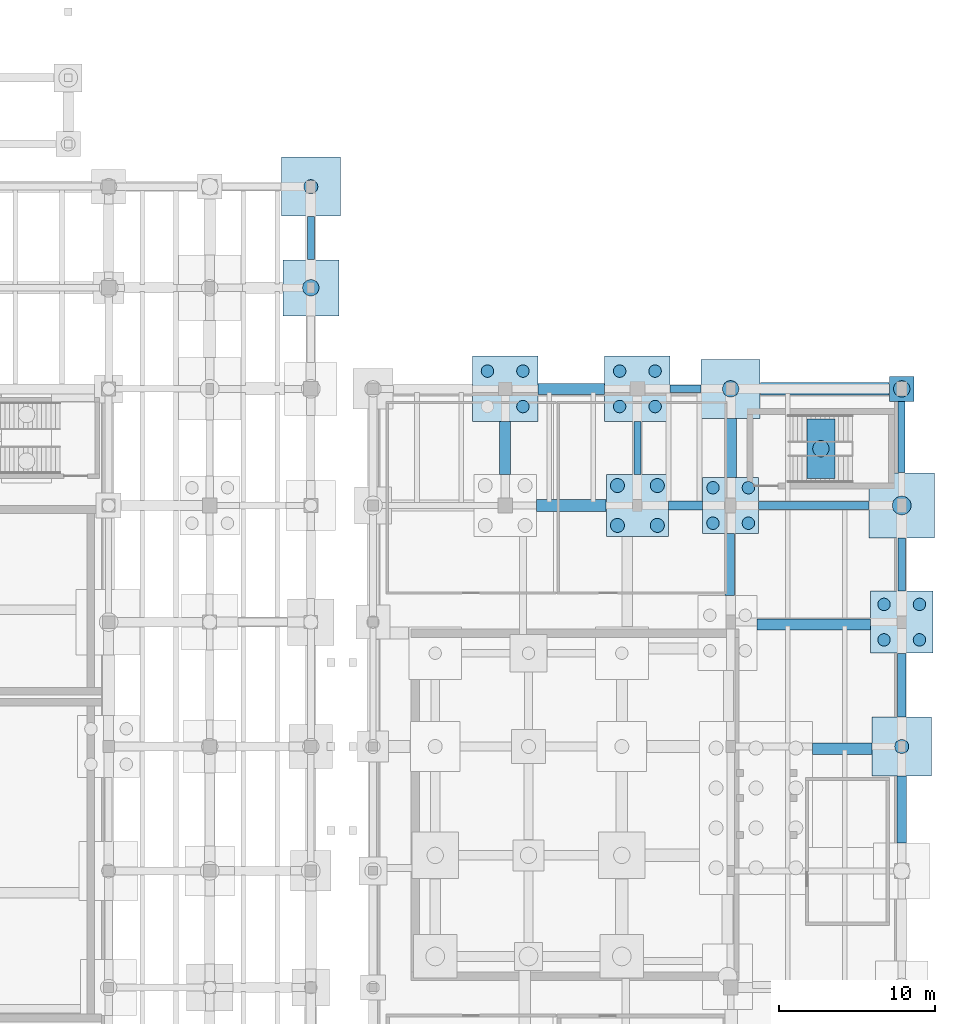
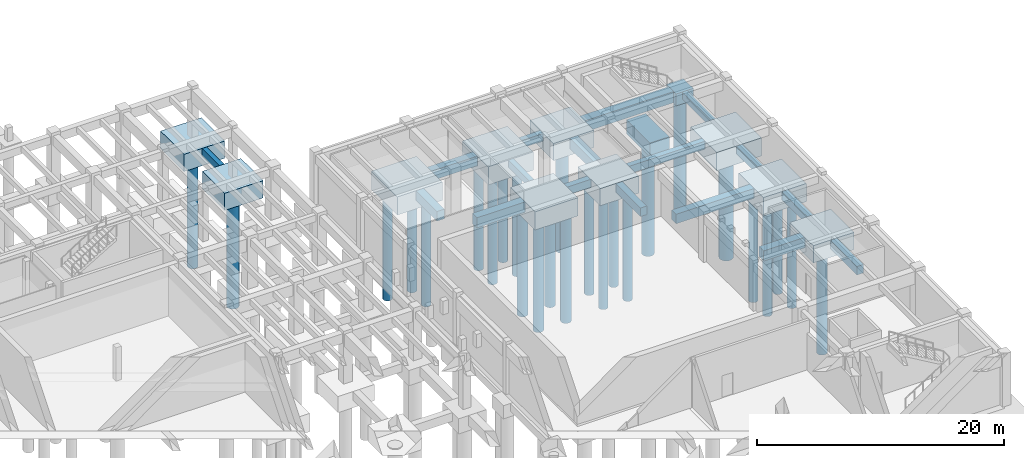
# One storey, part 15 of 36: 29 footings, 26 piles.
"""IFC4 building model written with IfcOpenShell, lengths in metres."""

from ifc_helpers import new_model, si_unit, direction, frame, origin, origin_2d, place, context, subcontext, project, spatial, polyline, circle, outline, extrude, material, material_profile, profile_set, type_object, element, save


model = new_model("IFC4")

# Units and contexts
model_context = context("Model", 3, precision=1e-05, world=origin(), true_north=direction((0.0, 1.0)))
body_context = subcontext(model_context, "Body", "Model", "MODEL_VIEW")
ifc_project = project(units=[si_unit("LENGTHUNIT", "METRE"), si_unit("AREAUNIT", "SQUARE_METRE"), si_unit("VOLUMEUNIT", "CUBIC_METRE"), si_unit("PLANEANGLEUNIT", "RADIAN"), si_unit("MASSUNIT", "GRAM", prefix="KILO"), si_unit("THERMODYNAMICTEMPERATUREUNIT", "KELVIN"), si_unit("POWERUNIT", "WATT")], contexts=[model_context])

# Site, building, storey
site_placement = place(None, origin())
site = spatial("IfcSite", under=ifc_project, at=site_placement, CompositionType="ELEMENT")
building_placement = place(site_placement, origin())
building = spatial("IfcBuilding", under=site, at=building_placement, Name="Tepalcoro Natatorium and Aquatics Centre", CompositionType="ELEMENT")
storey_placement = place(building_placement, frame((0.0, 0.0, -5.199951171875)))
storey = spatial("IfcBuildingStorey", under=building, at=storey_placement, Name="B1", CompositionType="ELEMENT", Elevation=-5.199951171875)

# Footings
ifc_material = material(Name="Concrete C40/50 (fc 40 MPa)", Category="concrete")
footing_type_1 = type_object("IfcFootingType", Name="FB_450x700", PredefinedType="FOOTING_BEAM", material=ifc_material)
footing_1_placement = place(storey_placement, frame((0.0, 0.0, -0.699951171875)))
element("IfcFooting", 1, at=footing_1_placement, inside=storey, type_object=footing_type_1, Name="V1 B1 Foundation Tie Beam Y", PredefinedType="FOOTING_BEAM", context=body_context, shape_type="SweptSolid", body=[
    extrude(outline(polyline([(138.22509765625, 67.304931640625), (138.22509765625, 70.094970703125), (137.77490234375, 70.094970703125), (137.77490234375, 67.304931640625), (138.22509765625, 67.304931640625)])), origin(), (0.0, 0.0, 1.0), 0.699951171875),
])
footing_2_placement = place(storey_placement, frame((0.0, 0.0, -1.199951171875)))
element("IfcFooting", 2, at=footing_2_placement, inside=storey, type_object=footing_type_1, Name="V2 B1 Foundation Tie Beam Y", PredefinedType="FOOTING_BEAM", context=body_context, shape_type="SweptSolid", body=[
    extrude(outline(polyline([(159.22509765625, 53.5048828125), (159.22509765625, 56.89501953125), (158.77490234375, 56.89501953125), (158.77490234375, 53.5048828125), (159.22509765625, 53.5048828125)])), origin(), (0.0, 0.0, 1.0), 0.699951171875),
])
footing_3_placement = place(storey_placement, frame((0.0, 0.0, -1.199951171875)))
element("IfcFooting", 3, at=footing_3_placement, inside=storey, type_object=footing_type_1, Name="V2 B1 Foundation Tie Beam Y", PredefinedType="FOOTING_BEAM", context=body_context, shape_type="SweptSolid", body=[
    extrude(outline(polyline([(176.22509765625, 53.60498046875), (176.22509765625, 58.195068359375), (175.77490234375, 58.195068359375), (175.77490234375, 53.60498046875), (176.22509765625, 53.60498046875)])), origin(), (0.0, 0.0, 1.0), 0.699951171875),
])
footing_type_2 = type_object("IfcFootingType", Name="FB_500x750", PredefinedType="FOOTING_BEAM", material=ifc_material)
footing_4_placement = place(storey_placement, frame((0.0, 0.0, -1.25)))
element("IfcFooting", 4, at=footing_4_placement, inside=storey, type_object=footing_type_2, Name="V2 B1 Foundation Tie Beam X", PredefinedType="FOOTING_BEAM", context=body_context, shape_type="SweptSolid", body=[
    extrude(outline(polyline([(161.10498046875, 58.75), (163.094970703125, 58.75), (163.094970703125, 59.25), (161.10498046875, 59.25), (161.10498046875, 58.75)])), origin(), (0.0, 0.0, 1.0), 0.75),
])
footing_5_placement = place(storey_placement, frame((0.0, 0.0, -1.25)))
element("IfcFooting", 5, at=footing_5_placement, inside=storey, type_object=footing_type_2, Name="V2 B1 Foundation Tie Beam X", PredefinedType="FOOTING_BEAM", context=body_context, shape_type="SweptSolid", body=[
    extrude(outline(polyline([(166.804931640625, 51.25), (173.89501953125, 51.25), (173.89501953125, 51.75), (166.804931640625, 51.75), (166.804931640625, 51.25)])), origin(), (0.0, 0.0, 1.0), 0.75),
])
footing_6_placement = place(storey_placement, frame((0.0, 0.0, -1.25)))
element("IfcFooting", 6, at=footing_6_placement, inside=storey, type_object=footing_type_2, Name="V2 B1 Foundation Tie Beam Y", PredefinedType="FOOTING_BEAM", context=body_context, shape_type="SweptSolid", body=[
    extrude(outline(polyline([(176.25, 46.0048828125), (176.25, 49.39501953125), (175.75, 49.39501953125), (175.75, 46.0048828125), (176.25, 46.0048828125)])), origin(), (0.0, 0.0, 1.0), 0.75),
])
footing_type_3 = type_object("IfcFootingType", Name="FB_550x800", PredefinedType="FOOTING_BEAM", material=ifc_material)
footing_7_placement = place(storey_placement, frame((0.0, 0.0, -1.300048828125)))
element("IfcFooting", 7, at=footing_7_placement, inside=storey, type_object=footing_type_3, Name="V2 B1 Foundation Tie Beam X", PredefinedType="FOOTING_BEAM", context=body_context, shape_type="SweptSolid", body=[
    extrude(outline(polyline([(161.0048828125, 51.22509765625), (163.195068359375, 51.22509765625), (163.195068359375, 51.77490234375), (161.0048828125, 51.77490234375), (161.0048828125, 51.22509765625)])), origin(), (0.0, 0.0, 1.0), 0.800048828125),
])
footing_8_placement = place(storey_placement, frame((0.0, 0.0, -1.300048828125)))
element("IfcFooting", 8, at=footing_8_placement, inside=storey, type_object=footing_type_3, Name="V2 B1 Foundation Tie Beam Y", PredefinedType="FOOTING_BEAM", context=body_context, shape_type="SweptSolid", body=[
    extrude(outline(polyline([(176.27490234375, 37.905029296875), (176.27490234375, 41.9951171875), (175.72509765625, 41.9951171875), (175.72509765625, 37.905029296875), (176.27490234375, 37.905029296875)])), origin(), (0.0, 0.0, 1.0), 0.800048828125),
])
footing_type_4 = type_object("IfcFootingType", Name="FB_600x850", PredefinedType="FOOTING_BEAM", material=ifc_material)
footing_9_placement = place(storey_placement, frame((0.0, 0.0, -1.35009765625)))
element("IfcFooting", 9, at=footing_9_placement, inside=storey, type_object=footing_type_4, Name="V2 B1 Foundation Tie Beam Y", PredefinedType="FOOTING_BEAM", context=body_context, shape_type="SweptSolid", body=[
    extrude(outline(polyline([(165.25, 45.705078125), (165.25, 49.695068359375), (164.64990234375, 49.695068359375), (164.64990234375, 45.705078125), (165.25, 45.705078125)])), origin(), (0.0, 0.0, 1.0), 0.85009765625),
])
footing_10_placement = place(storey_placement, frame((0.0, 0.0, -1.35009765625)))
element("IfcFooting", 10, at=footing_10_placement, inside=storey, type_object=footing_type_4, Name="V2 B1 Foundation Tie Beam Y", PredefinedType="FOOTING_BEAM", context=body_context, shape_type="SweptSolid", body=[
    extrude(outline(polyline([(176.300048828125, 29.804931640625), (176.300048828125, 34.094970703125), (175.699951171875, 34.094970703125), (175.699951171875, 29.804931640625), (176.300048828125, 29.804931640625)])), origin(), (0.0, 0.0, 1.0), 0.85009765625),
])
footing_type_5 = type_object("IfcFootingType", Name="FB_700x950", PredefinedType="FOOTING_BEAM", material=ifc_material)
footing_11_placement = place(storey_placement, frame((0.0, 0.0, -1.449951171875)))
element("IfcFooting", 11, at=footing_11_placement, inside=storey, type_object=footing_type_5, Name="V2 B1 Foundation Tie Beam X", PredefinedType="FOOTING_BEAM", context=body_context, shape_type="SweptSolid", body=[
    extrude(outline(polyline([(152.60498046875, 58.64990234375), (156.89501953125, 58.64990234375), (156.89501953125, 59.35009765625), (152.60498046875, 59.35009765625), (152.60498046875, 58.64990234375)])), origin(), (0.0, 0.0, 1.0), 0.949951171875),
])
footing_12_placement = place(storey_placement, frame((0.0, 0.0, -1.449951171875)))
element("IfcFooting", 12, at=footing_12_placement, inside=storey, type_object=footing_type_5, Name="V2 B1 Foundation Tie Beam X", PredefinedType="FOOTING_BEAM", context=body_context, shape_type="SweptSolid", body=[
    extrude(outline(polyline([(166.705078125, 43.5), (173.9951171875, 43.5), (173.9951171875, 44.199951171875), (166.705078125, 44.199951171875), (166.705078125, 43.5)])), origin(), (0.0, 0.0, 1.0), 0.949951171875),
])
footing_13_placement = place(storey_placement, frame((0.0, 0.0, -1.449951171875)))
element("IfcFooting", 13, at=footing_13_placement, inside=storey, type_object=footing_type_5, Name="V2 B1 Foundation Tie Beam Y", PredefinedType="FOOTING_BEAM", context=body_context, shape_type="SweptSolid", body=[
    extrude(outline(polyline([(150.85009765625, 53.5048828125), (150.85009765625, 56.89501953125), (150.14990234375, 56.89501953125), (150.14990234375, 53.5048828125), (150.85009765625, 53.5048828125)])), origin(), (0.0, 0.0, 1.0), 0.949951171875),
])
footing_type_6 = type_object("IfcFootingType", Name="FB_750x1000", PredefinedType="FOOTING_BEAM", material=ifc_material)
footing_14_placement = place(storey_placement, frame((0.0, 0.0, -1.5)))
element("IfcFooting", 14, at=footing_14_placement, inside=storey, type_object=footing_type_6, Name="V2 B1 Foundation Tie Beam X", PredefinedType="FOOTING_BEAM", context=body_context, shape_type="SweptSolid", body=[
    extrude(outline(polyline([(152.5048828125, 51.125), (156.9951171875, 51.125), (156.9951171875, 51.875), (152.5048828125, 51.875), (152.5048828125, 51.125)])), origin(), (0.0, 0.0, 1.0), 1.0),
])
footing_15_placement = place(storey_placement, frame((0.0, 0.0, -1.5)))
element("IfcFooting", 15, at=footing_15_placement, inside=storey, type_object=footing_type_6, Name="V2 B1 Foundation Tie Beam X", PredefinedType="FOOTING_BEAM", context=body_context, shape_type="SweptSolid", body=[
    extrude(outline(polyline([(170.2548828125, 35.47509765625), (174.094970703125, 35.47509765625), (174.094970703125, 36.22509765625), (170.2548828125, 36.22509765625), (170.2548828125, 35.47509765625)])), origin(), (0.0, 0.0, 1.0), 1.0),
])
footing_16_placement = place(storey_placement, frame((0.0, 0.0, -1.5)))
element("IfcFooting", 16, at=footing_16_placement, inside=storey, type_object=footing_type_6, Name="V2 B1 Foundation Tie Beam Y", PredefinedType="FOOTING_BEAM", context=body_context, shape_type="SweptSolid", body=[
    extrude(outline(polyline([(165.375, 53.304931640625), (165.375, 57.094970703125), (164.625, 57.094970703125), (164.625, 53.304931640625), (165.375, 53.304931640625)])), origin(), (0.0, 0.0, 1.0), 1.0),
])
footing_type_7 = type_object("IfcFootingType", Name="FB_800x1100", PredefinedType="FOOTING_BEAM", material=ifc_material)
footing_17_placement = place(storey_placement, frame((0.0, 0.0, -1.60009765625)))
element("IfcFooting", 17, at=footing_17_placement, inside=storey, type_object=footing_type_7, Name="V2 B1 Foundation Tie Beam X", PredefinedType="FOOTING_BEAM", context=body_context, shape_type="SweptSolid", body=[
    extrude(outline(polyline([(166.905029296875, 58.60009765625), (175.195068359375, 58.60009765625), (175.195068359375, 59.39990234375), (166.905029296875, 59.39990234375), (166.905029296875, 58.60009765625)])), origin(), (0.0, 0.0, 1.0), 1.10009765625),
])
footing_type_8 = type_object("IfcFootingType", Name="PC_1600x1600x1200", PredefinedType="PILE_CAP", material=ifc_material)
footing_18_placement = place(storey_placement, frame((0.0, 0.0, -1.699951171875)))
element("IfcFooting", 18, at=footing_18_placement, inside=storey, type_object=footing_type_8, Name="V2 Reinforced Concrete Pile Cap 171", PredefinedType="PILE_CAP", context=body_context, shape_type="SweptSolid", body=[
    extrude(outline(polyline([(175.199951171875, 58.199951171875), (176.800048828125, 58.199951171875), (176.800048828125, 59.800048828125), (175.199951171875, 59.800048828125), (175.199951171875, 58.199951171875)])), origin(), (0.0, 0.0, 1.0), 1.199951171875),
])
footing_type_9 = type_object("IfcFootingType", Name="PC_1800x3800x1400", PredefinedType="PILE_CAP", material=ifc_material)
footing_19_placement = place(storey_placement, frame((0.0, 0.0, -1.900146484375)))
element("IfcFooting", 19, at=footing_19_placement, inside=storey, type_object=footing_type_9, Name="V2 Reinforced Concrete Pile Cap 163", PredefinedType="PILE_CAP", context=body_context, shape_type="SweptSolid", body=[
    extrude(outline(polyline([(169.89990234375, 53.25), (171.699951171875, 53.25), (171.699951171875, 57.050048828125), (169.89990234375, 57.050048828125), (169.89990234375, 53.25)])), origin(), (0.0, 0.0, 1.0), 1.400146484375),
])
footing_type_10 = type_object("IfcFootingType", Name="PC_3600x3600x1700", PredefinedType="PILE_CAP", material=ifc_material)
footing_20_placement = place(storey_placement, frame((0.0, 0.0, -1.699951171875)))
element("IfcFooting", 20, at=footing_20_placement, inside=storey, type_object=footing_type_10, Name="V1 Reinforced Concrete Pile Cap 119", PredefinedType="PILE_CAP", context=body_context, shape_type="SweptSolid", body=[
    extrude(outline(polyline([(136.199951171875, 63.699951171875), (139.800048828125, 63.699951171875), (139.800048828125, 67.300048828125), (136.199951171875, 67.300048828125), (136.199951171875, 63.699951171875)])), origin(), (0.0, 0.0, 1.0), 1.699951171875),
])
footing_21_placement = place(storey_placement, frame((0.0, 0.0, -2.199951171875)))
element("IfcFooting", 21, at=footing_21_placement, inside=storey, type_object=footing_type_10, Name="V2 Reinforced Concrete Pile Cap 161", PredefinedType="PILE_CAP", context=body_context, shape_type="SweptSolid", body=[
    extrude(outline(polyline([(163.199951171875, 49.699951171875), (166.800048828125, 49.699951171875), (166.800048828125, 53.300048828125), (163.199951171875, 53.300048828125), (163.199951171875, 49.699951171875)])), origin(), (0.0, 0.0, 1.0), 1.699951171875),
])
footing_type_11 = type_object("IfcFootingType", Name="PC_3800x3800x1700", PredefinedType="PILE_CAP", material=ifc_material)
footing_22_placement = place(storey_placement, frame((0.0, 0.0, -1.699951171875)))
element("IfcFooting", 22, at=footing_22_placement, inside=storey, type_object=footing_type_11, Name="V1 Reinforced Concrete Pile Cap 118", PredefinedType="PILE_CAP", context=body_context, shape_type="SweptSolid", body=[
    extrude(outline(polyline([(136.10009765625, 70.10009765625), (139.89990234375, 70.10009765625), (139.89990234375, 73.89990234375), (136.10009765625, 73.89990234375), (136.10009765625, 70.10009765625)])), origin(), (0.0, 0.0, 1.0), 1.699951171875),
])
footing_23_placement = place(storey_placement, frame((0.0, 0.0, -2.199951171875)))
element("IfcFooting", 23, at=footing_23_placement, inside=storey, type_object=footing_type_11, Name="V2 Reinforced Concrete Pile Cap 159", PredefinedType="PILE_CAP", context=body_context, shape_type="SweptSolid", body=[
    extrude(outline(polyline([(163.10009765625, 57.10009765625), (166.89990234375, 57.10009765625), (166.89990234375, 60.89990234375), (163.10009765625, 60.89990234375), (163.10009765625, 57.10009765625)])), origin(), (0.0, 0.0, 1.0), 1.699951171875),
])
footing_24_placement = place(storey_placement, frame((0.0, 0.0, -2.199951171875)))
element("IfcFooting", 24, at=footing_24_placement, inside=storey, type_object=footing_type_11, Name="V2 Reinforced Concrete Pile Cap 166", PredefinedType="PILE_CAP", context=body_context, shape_type="SweptSolid", body=[
    extrude(outline(polyline([(174.10009765625, 34.10009765625), (177.89990234375, 34.10009765625), (177.89990234375, 37.89990234375), (174.10009765625, 37.89990234375), (174.10009765625, 34.10009765625)])), origin(), (0.0, 0.0, 1.0), 1.699951171875),
])
footing_type_12 = type_object("IfcFootingType", Name="PC_4000x4000x1800", PredefinedType="PILE_CAP", material=ifc_material)
footing_25_placement = place(storey_placement, frame((0.0, 0.0, -2.300048828125)))
element("IfcFooting", 25, at=footing_25_placement, inside=storey, type_object=footing_type_12, Name="V2 Reinforced Concrete Pile Cap 154", PredefinedType="PILE_CAP", context=body_context, shape_type="SweptSolid", body=[
    extrude(outline(polyline([(157.0, 49.5), (161.0, 49.5), (161.0, 53.5), (157.0, 53.5), (157.0, 49.5)])), origin(), (0.0, 0.0, 1.0), 1.800048828125),
])
footing_26_placement = place(storey_placement, frame((0.0, 0.0, -2.300048828125)))
element("IfcFooting", 26, at=footing_26_placement, inside=storey, type_object=footing_type_12, Name="V2 Reinforced Concrete Pile Cap 165", PredefinedType="PILE_CAP", context=body_context, shape_type="SweptSolid", body=[
    extrude(outline(polyline([(174.0, 42.0), (178.0, 42.0), (178.0, 46.0), (174.0, 46.0), (174.0, 42.0)])), origin(), (0.0, 0.0, 1.0), 1.800048828125),
])
footing_type_13 = type_object("IfcFootingType", Name="PC_4200x4200x1800", PredefinedType="PILE_CAP", material=ifc_material)
footing_27_placement = place(storey_placement, frame((0.0, 0.0, -2.300048828125)))
element("IfcFooting", 27, at=footing_27_placement, inside=storey, type_object=footing_type_13, Name="V2 Reinforced Concrete Pile Cap 141", PredefinedType="PILE_CAP", context=body_context, shape_type="SweptSolid", body=[
    extrude(outline(polyline([(148.39990234375, 56.89990234375), (152.60009765625, 56.89990234375), (152.60009765625, 61.10009765625), (148.39990234375, 61.10009765625), (148.39990234375, 56.89990234375)])), origin(), (0.0, 0.0, 1.0), 1.800048828125),
])
footing_28_placement = place(storey_placement, frame((0.0, 0.0, -2.300048828125)))
element("IfcFooting", 28, at=footing_28_placement, inside=storey, type_object=footing_type_13, Name="V2 Reinforced Concrete Pile Cap 153", PredefinedType="PILE_CAP", context=body_context, shape_type="SweptSolid", body=[
    extrude(outline(polyline([(156.89990234375, 56.89990234375), (161.10009765625, 56.89990234375), (161.10009765625, 61.10009765625), (156.89990234375, 61.10009765625), (156.89990234375, 56.89990234375)])), origin(), (0.0, 0.0, 1.0), 1.800048828125),
])
footing_29_placement = place(storey_placement, frame((0.0, 0.0, -2.300048828125)))
element("IfcFooting", 29, at=footing_29_placement, inside=storey, type_object=footing_type_13, Name="V2 Reinforced Concrete Pile Cap 164", PredefinedType="PILE_CAP", context=body_context, shape_type="SweptSolid", body=[
    extrude(outline(polyline([(173.89990234375, 49.39990234375), (178.10009765625, 49.39990234375), (178.10009765625, 53.60009765625), (173.89990234375, 53.60009765625), (173.89990234375, 49.39990234375)])), origin(), (0.0, 0.0, 1.0), 1.800048828125),
])

# Piles
ifc_material_profile_1 = material_profile(ifc_material, circle(Radius=0.52490234375, at=origin_2d()), Name="PILE_D1050")
ifc_profile_set_1 = profile_set([ifc_material_profile_1], Name="Concrete C40/50 (fc 40 MPa)")
pile_type_1 = type_object("IfcPileType", Name="PILE_D1050", PredefinedType="BORED", material=ifc_profile_set_1)
pile_1_placement = place(storey_placement, frame((138.0, 65.5, -1.60009765625), z_axis=(0.0, 0.0, -1.0), x_axis=(1.0, 0.0, 0.0)))
element("IfcPile", 30, at=pile_1_placement, inside=storey, type_object=pile_type_1, Name="Bored Pile PILE_D1050 under PC_V1_0118", PredefinedType="BORED", context=body_context, shape_type="SweptSolid", body=[
    extrude(circle(Radius=0.52490234375, at=origin_2d()), origin(), (0.0, 0.0, 1.0), 11.199951171875),
])
pile_2_placement = place(storey_placement, frame((165.0, 59.0, -2.10009765625), z_axis=(0.0, 0.0, -1.0), x_axis=(1.0, 0.0, 0.0)))
element("IfcPile", 31, at=pile_2_placement, inside=storey, type_object=pile_type_1, Name="Bored Pile PILE_D1050 under PC_V2_0158", PredefinedType="BORED", context=body_context, shape_type="SweptSolid", body=[
    extrude(circle(Radius=0.52490234375, at=origin_2d()), origin(), (0.0, 0.0, 1.0), 10.699951171875),
])
pile_3_placement = place(storey_placement, frame((170.800048828125, 55.14990234375, -1.800048828125), z_axis=(0.0, 0.0, -1.0), x_axis=(1.0, 0.0, 0.0)))
element("IfcPile", 32, at=pile_3_placement, inside=storey, type_object=pile_type_1, Name="Bored Pile PILE_D1050 under PC_V2_0162", PredefinedType="BORED", context=body_context, shape_type="SweptSolid", body=[
    extrude(circle(Radius=0.52490234375, at=origin_2d()), origin(), (0.0, 0.0, 1.0), 11.0),
])
pile_4_placement = place(storey_placement, frame((176.0, 59.0, -1.60009765625), z_axis=(0.0, 0.0, -1.0), x_axis=(1.0, 0.0, 0.0)))
element("IfcPile", 33, at=pile_4_placement, inside=storey, type_object=pile_type_1, Name="Bored Pile PILE_D1050 under PC_V2_0170", PredefinedType="BORED", context=body_context, shape_type="SweptSolid", body=[
    extrude(circle(Radius=0.52490234375, at=origin_2d()), origin(), (0.0, 0.0, 1.0), 11.199951171875),
])
ifc_material_profile_2 = material_profile(ifc_material, circle(Radius=0.60009765625, at=origin_2d()), Name="PILE_D1200")
ifc_profile_set_2 = profile_set([ifc_material_profile_2], Name="Concrete C40/50 (fc 40 MPa)")
pile_type_2 = type_object("IfcPileType", Name="PILE_D1200", PredefinedType="BORED", material=ifc_profile_set_2)
pile_5_placement = place(storey_placement, frame((176.0, 51.5, -2.199951171875), z_axis=(0.0, 0.0, -1.0), x_axis=(1.0, 0.0, 0.0)))
element("IfcPile", 34, at=pile_5_placement, inside=storey, type_object=pile_type_2, Name="Bored Pile PILE_D1200 under PC_V2_0163", PredefinedType="BORED", context=body_context, shape_type="SweptSolid", body=[
    extrude(circle(Radius=0.60009765625, at=origin_2d()), origin(), (0.0, 0.0, 1.0), 10.60009765625),
])
ifc_material_profile_3 = material_profile(ifc_material, circle(Radius=0.39990234375, at=origin_2d()), Name="PILE_D800")
ifc_profile_set_3 = profile_set([ifc_material_profile_3], Name="Concrete C40/50 (fc 40 MPa)")
pile_type_3 = type_object("IfcPileType", Name="PILE_D800", PredefinedType="BORED", material=ifc_profile_set_3)
for number, where, z_axis, x_axis, name in (
    (35, (149.360107421875, 60.139892578125, -2.199951171875), (0.0, 0.0, -1.0), (1.0, 0.0, 0.0), "Bored Pile PILE_D800 under PC_V2_0140"),
    (36, (151.639892578125, 57.860107421875, -2.199951171875), (0.0, 0.0, -1.0), (1.0, 0.0, 0.0), "Bored Pile PILE_D800 under PC_V2_0140"),
    (37, (151.639892578125, 60.139892578125, -2.199951171875), (0.0, 0.0, -1.0), (1.0, 0.0, 0.0), "Bored Pile PILE_D800 under PC_V2_0140"),
    (38, (157.860107421875, 57.860107421875, -2.199951171875), (0.0, 0.0, -1.0), (1.0, 0.0, 0.0), "Bored Pile PILE_D800 under PC_V2_0152"),
    (39, (157.860107421875, 60.139892578125, -2.199951171875), (0.0, 0.0, -1.0), (1.0, 0.0, 0.0), "Bored Pile PILE_D800 under PC_V2_0152"),
    (40, (160.139892578125, 57.860107421875, -2.199951171875), (0.0, 0.0, -1.0), (1.0, 0.0, 0.0), "Bored Pile PILE_D800 under PC_V2_0152"),
    (41, (160.139892578125, 60.139892578125, -2.199951171875), (0.0, 0.0, -1.0), (1.0, 0.0, 0.0), "Bored Pile PILE_D800 under PC_V2_0152"),
):
    element("IfcPile", number, at=place(storey_placement, frame(where, z_axis=z_axis, x_axis=x_axis)), inside=storey, type_object=pile_type_3, Name=name, PredefinedType="BORED", context=body_context, shape_type="SweptSolid", body=[
        extrude(circle(Radius=0.39990234375, at=origin_2d()), origin(), (0.0, 0.0, 1.0), 10.60009765625),
    ])
for number, where, z_axis, x_axis, name in (
    (42, (163.860107421875, 50.360107421875, -2.10009765625), (0.0, 0.0, -1.0), (1.0, 0.0, 0.0), "Bored Pile PILE_D800 under PC_V2_0160"),
    (43, (163.860107421875, 52.639892578125, -2.10009765625), (0.0, 0.0, -1.0), (1.0, 0.0, 0.0), "Bored Pile PILE_D800 under PC_V2_0160"),
    (44, (166.139892578125, 50.360107421875, -2.10009765625), (0.0, 0.0, -1.0), (1.0, 0.0, 0.0), "Bored Pile PILE_D800 under PC_V2_0160"),
    (45, (166.139892578125, 52.639892578125, -2.10009765625), (0.0, 0.0, -1.0), (1.0, 0.0, 0.0), "Bored Pile PILE_D800 under PC_V2_0160"),
):
    element("IfcPile", number, at=place(storey_placement, frame(where, z_axis=z_axis, x_axis=x_axis)), inside=storey, type_object=pile_type_3, Name=name, PredefinedType="BORED", context=body_context, shape_type="SweptSolid", body=[
        extrude(circle(Radius=0.39990234375, at=origin_2d()), origin(), (0.0, 0.0, 1.0), 10.699951171875),
    ])
for number, where, z_axis, x_axis, name in (
    (46, (174.860107421875, 42.860107421875, -2.199951171875), (0.0, 0.0, -1.0), (1.0, 0.0, 0.0), "Bored Pile PILE_D800 under PC_V2_0164"),
    (47, (174.860107421875, 45.139892578125, -2.199951171875), (0.0, 0.0, -1.0), (1.0, 0.0, 0.0), "Bored Pile PILE_D800 under PC_V2_0164"),
    (48, (177.139892578125, 42.860107421875, -2.199951171875), (0.0, 0.0, -1.0), (1.0, 0.0, 0.0), "Bored Pile PILE_D800 under PC_V2_0164"),
    (49, (177.139892578125, 45.139892578125, -2.199951171875), (0.0, 0.0, -1.0), (1.0, 0.0, 0.0), "Bored Pile PILE_D800 under PC_V2_0164"),
):
    element("IfcPile", number, at=place(storey_placement, frame(where, z_axis=z_axis, x_axis=x_axis)), inside=storey, type_object=pile_type_3, Name=name, PredefinedType="BORED", context=body_context, shape_type="SweptSolid", body=[
        extrude(circle(Radius=0.39990234375, at=origin_2d()), origin(), (0.0, 0.0, 1.0), 10.60009765625),
    ])
ifc_material_profile_4 = material_profile(ifc_material, circle(Radius=0.449951171875, at=origin_2d()), Name="PILE_D900")
ifc_profile_set_4 = profile_set([ifc_material_profile_4], Name="Concrete C40/50 (fc 40 MPa)")
pile_type_4 = type_object("IfcPileType", Name="PILE_D900", PredefinedType="BORED", material=ifc_profile_set_4)
pile_6_placement = place(storey_placement, frame((138.0, 72.0, -1.60009765625), z_axis=(0.0, 0.0, -1.0), x_axis=(1.0, 0.0, 0.0)))
element("IfcPile", 50, at=pile_6_placement, inside=storey, type_object=pile_type_4, Name="Bored Pile PILE_D900 under PC_V1_0117", PredefinedType="BORED", context=body_context, shape_type="SweptSolid", body=[
    extrude(circle(Radius=0.449951171875, at=origin_2d()), origin(), (0.0, 0.0, 1.0), 11.199951171875),
])
for number, where, z_axis, x_axis, name in (
    (51, (157.717529296875, 50.217529296875, -2.199951171875), (0.0, 0.0, -1.0), (1.0, 0.0, 0.0), "Bored Pile PILE_D900 under PC_V2_0153"),
    (52, (157.717529296875, 52.782470703125, -2.199951171875), (0.0, 0.0, -1.0), (1.0, 0.0, 0.0), "Bored Pile PILE_D900 under PC_V2_0153"),
    (53, (160.282470703125, 50.217529296875, -2.199951171875), (0.0, 0.0, -1.0), (1.0, 0.0, 0.0), "Bored Pile PILE_D900 under PC_V2_0153"),
    (54, (160.282470703125, 52.782470703125, -2.199951171875), (0.0, 0.0, -1.0), (1.0, 0.0, 0.0), "Bored Pile PILE_D900 under PC_V2_0153"),
):
    element("IfcPile", number, at=place(storey_placement, frame(where, z_axis=z_axis, x_axis=x_axis)), inside=storey, type_object=pile_type_4, Name=name, PredefinedType="BORED", context=body_context, shape_type="SweptSolid", body=[
        extrude(circle(Radius=0.449951171875, at=origin_2d()), origin(), (0.0, 0.0, 1.0), 10.60009765625),
    ])
pile_7_placement = place(storey_placement, frame((176.0, 36.0, -2.10009765625), z_axis=(0.0, 0.0, -1.0), x_axis=(1.0, 0.0, 0.0)))
element("IfcPile", 55, at=pile_7_placement, inside=storey, type_object=pile_type_4, Name="Bored Pile PILE_D900 under PC_V2_0165", PredefinedType="BORED", context=body_context, shape_type="SweptSolid", body=[
    extrude(circle(Radius=0.449951171875, at=origin_2d()), origin(), (0.0, 0.0, 1.0), 10.699951171875),
])

save(model, "model.ifc")
